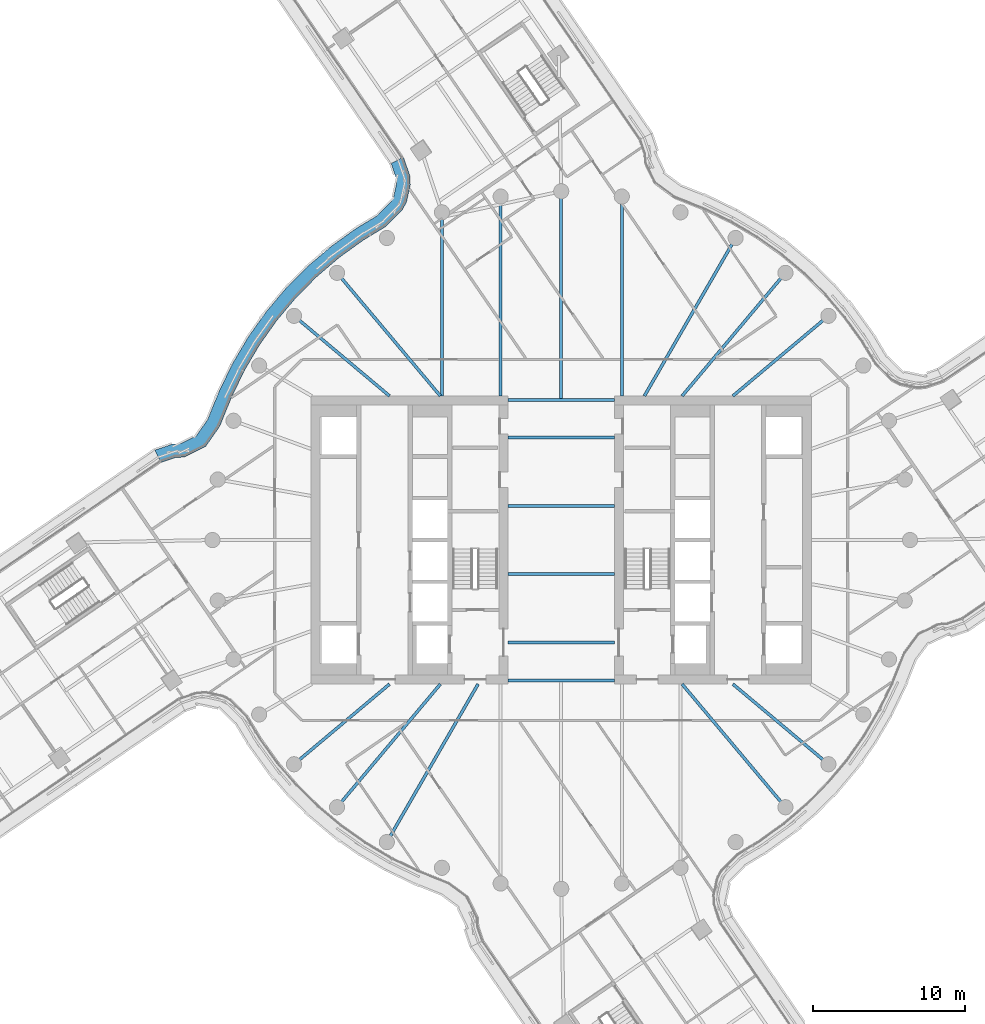
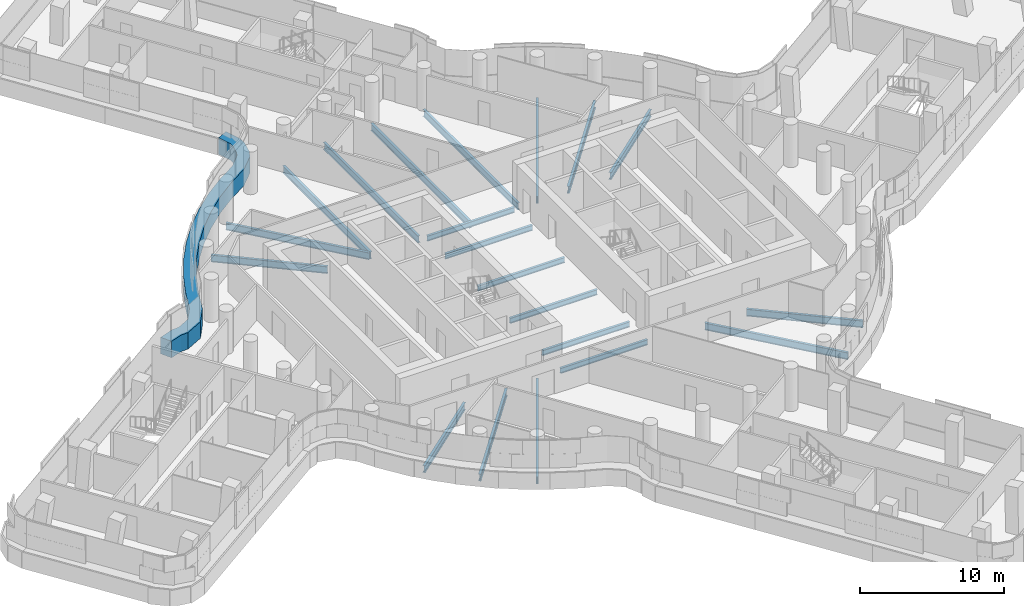
# One storey, part 10 of 33: 20 beams, 1 member, 1 element without a shape of its own.
"""IFC4 building model written with IfcOpenShell, lengths in metres."""

from ifc_helpers import new_model, si_unit, direction, frame, origin, origin_2d, place, context, subcontext, project, spatial, polyline, i_section, outline, extrude, material, layer, layer_set, material_profile, profile_set, type_object, element, aggregate, save


model = new_model("IFC4")

# Units and contexts
model_context = context("Model", 3, precision=1e-05, world=origin(), true_north=direction((0.0, 1.0)))
body_context = subcontext(model_context, "Body", "Model", "MODEL_VIEW")
ifc_project = project(units=[si_unit("LENGTHUNIT", "METRE"), si_unit("AREAUNIT", "SQUARE_METRE"), si_unit("VOLUMEUNIT", "CUBIC_METRE"), si_unit("PLANEANGLEUNIT", "RADIAN"), si_unit("MASSUNIT", "GRAM", prefix="KILO")], contexts=[model_context])

# Site, building, storey
site_placement = place(None, origin())
site = spatial("IfcSite", under=ifc_project, at=site_placement, CompositionType="ELEMENT")
building_placement = place(site_placement, origin())
building = spatial("IfcBuilding", under=site, at=building_placement, Name="Tamarind Cross Interchange Tower", CompositionType="ELEMENT")
storey_placement = place(building_placement, frame((0.0, 0.0, 159.25)))
storey = spatial("IfcBuildingStorey", under=building, at=storey_placement, Name="L39", CompositionType="ELEMENT", Elevation=159.25)

# Beams
ifc_material_1 = material(Name="Steel Q355B", Category="steel")
ifc_material_profile_1 = material_profile(ifc_material_1, i_section(OverallWidth=0.198974609375, OverallDepth=0.446044921875, WebThickness=0.008056640625, FlangeThickness=0.011962890625, FilletRadius=0.012939453125, at=origin_2d()), Name="HN 446x199x8x12")
ifc_profile_set_1 = profile_set([ifc_material_profile_1], Name="Steel Q355B")
beam_type_1 = type_object("IfcBeamType", Name="Composite beam HN 446x199x8x12 Q355B", PredefinedType="BEAM", material=ifc_profile_set_1)
for number, where, z_axis, x_axis, name in (
    (1, (-3.5, -2.25, -0.363037109375), (1.0, 0.0, 0.0), (0.0, 1.0, 0.0), "Beam G-2.25"),
    (2, (-3.5, -6.75, -0.363037109375), (1.0, 0.0, 0.0), (0.0, 1.0, 0.0), "Beam G-6.75"),
    (3, (-3.5, -9.25, -0.363037109375), (1.0, 0.0, 0.0), (0.0, 1.0, 0.0), "Beam G-9.25"),
    (4, (-3.5, 2.25, -0.363037109375), (1.0, 0.0, 0.0), (0.0, 1.0, 0.0), "Beam G2.25"),
    (5, (-3.5, 6.75, -0.363037109375), (1.0, 0.0, 0.0), (0.0, 1.0, 0.0), "Beam G6.75"),
    (6, (-3.5, 9.25, -0.363037109375), (1.0, 0.0, 0.0), (0.0, 1.0, 0.0), "Beam G9.25"),
):
    element("IfcBeam", number, at=place(storey_placement, frame(where, z_axis=z_axis, x_axis=x_axis)), inside=storey, type_object=beam_type_1, Name=name, PredefinedType="BEAM", context=body_context, shape_type="SweptSolid", body=[
        extrude(i_section(OverallWidth=0.198974609375, OverallDepth=0.446044921875, WebThickness=0.008056640625, FlangeThickness=0.011962890625, FilletRadius=0.012939453125, at=origin_2d()), origin(), (0.0, 0.0, 1.0), 7.0),
    ])
ifc_material_profile_2 = material_profile(ifc_material_1, i_section(OverallWidth=0.198974609375, OverallDepth=0.595947265625, WebThickness=0.010009765625, FlangeThickness=0.014892578125, FilletRadius=0.012939453125, at=origin_2d()), Name="HN 596x199x10x15")
ifc_profile_set_2 = profile_set([ifc_material_profile_2], Name="Steel Q355B")
beam_type_2 = type_object("IfcBeamType", Name="Composite beam HN 596x199x10x15 Q355B", PredefinedType="BEAM", material=ifc_profile_set_2)
beam_1_placement = place(storey_placement, frame((17.619140625, 14.7841796875, -0.43798828125), z_axis=(-0.766040580814, -0.642792212574, 0.0), x_axis=(0.642792212574, -0.766040580814, 0.0)))
element("IfcBeam", 7, at=beam_1_placement, inside=storey, type_object=beam_type_2, Name="Beam HH04", PredefinedType="BEAM", context=body_context, shape_type="SweptSolid", body=[
    extrude(i_section(OverallWidth=0.198974609375, OverallDepth=0.595947265625, WebThickness=0.010009765625, FlangeThickness=0.014892578125, FilletRadius=0.012939453125, at=origin_2d()), origin(), (0.0, 0.0, 1.0), 8.220703125),
])
beam_2_placement = place(storey_placement, frame((14.7841796875, 17.619140625, -0.43798828125), z_axis=(-0.642786293979, -0.766045547127, 0.0), x_axis=(0.766045547127, -0.642786293979, 0.0)))
element("IfcBeam", 8, at=beam_2_placement, inside=storey, type_object=beam_type_2, Name="Beam HH05", PredefinedType="BEAM", context=body_context, shape_type="SweptSolid", body=[
    extrude(i_section(OverallWidth=0.198974609375, OverallDepth=0.595947265625, WebThickness=0.010009765625, FlangeThickness=0.014892578125, FilletRadius=0.012939453125, at=origin_2d()), origin(), (0.0, 0.0, 1.0), 10.598876953125),
])
beam_3_placement = place(storey_placement, frame((11.5, 19.918701171875, -0.43798828125), z_axis=(-0.499993565836, -0.866029118519, 0.0), x_axis=(0.866029118519, -0.499993565836, 0.0)))
element("IfcBeam", 9, at=beam_3_placement, inside=storey, type_object=beam_type_2, Name="Beam HH06", PredefinedType="BEAM", context=body_context, shape_type="SweptSolid", body=[
    extrude(i_section(OverallWidth=0.198974609375, OverallDepth=0.595947265625, WebThickness=0.010009765625, FlangeThickness=0.014892578125, FilletRadius=0.012939453125, at=origin_2d()), origin(), (0.0, 0.0, 1.0), 12.030517578125),
])
beam_4_placement = place(storey_placement, frame((3.993896484375, 22.650634765625, -0.43798828125), z_axis=(0.0, -1.0, 0.0), x_axis=(1.0, 0.0, 0.0)))
element("IfcBeam", 10, at=beam_4_placement, inside=storey, type_object=beam_type_2, Name="Beam HH08", PredefinedType="BEAM", context=body_context, shape_type="SweptSolid", body=[
    extrude(i_section(OverallWidth=0.198974609375, OverallDepth=0.595947265625, WebThickness=0.010009765625, FlangeThickness=0.014892578125, FilletRadius=0.012939453125, at=origin_2d()), origin(), (0.0, 0.0, 1.0), 13.150634765625),
])
beam_5_placement = place(storey_placement, frame((0.0, 23.0, -0.43798828125), z_axis=(0.0, -1.0, 0.0), x_axis=(1.0, 0.0, 0.0)))
element("IfcBeam", 11, at=beam_5_placement, inside=storey, type_object=beam_type_2, Name="Beam HH09", PredefinedType="BEAM", context=body_context, shape_type="SweptSolid", body=[
    extrude(i_section(OverallWidth=0.198974609375, OverallDepth=0.595947265625, WebThickness=0.010009765625, FlangeThickness=0.014892578125, FilletRadius=0.012939453125, at=origin_2d()), origin(), (0.0, 0.0, 1.0), 13.75),
])
beam_6_placement = place(storey_placement, frame((-3.993896484375, 22.650634765625, -0.43798828125), z_axis=(0.0, -1.0, 0.0), x_axis=(1.0, 0.0, 0.0)))
element("IfcBeam", 12, at=beam_6_placement, inside=storey, type_object=beam_type_2, Name="Beam HH10", PredefinedType="BEAM", context=body_context, shape_type="SweptSolid", body=[
    extrude(i_section(OverallWidth=0.198974609375, OverallDepth=0.595947265625, WebThickness=0.010009765625, FlangeThickness=0.014892578125, FilletRadius=0.012939453125, at=origin_2d()), origin(), (0.0, 0.0, 1.0), 13.150634765625),
])
beam_7_placement = place(storey_placement, frame((-7.866455078125, 21.613037109375, -0.43798828125), z_axis=(0.0, -1.0, 0.0), x_axis=(1.0, 0.0, 0.0)))
element("IfcBeam", 13, at=beam_7_placement, inside=storey, type_object=beam_type_2, Name="Beam HH11", PredefinedType="BEAM", context=body_context, shape_type="SweptSolid", body=[
    extrude(i_section(OverallWidth=0.198974609375, OverallDepth=0.595947265625, WebThickness=0.010009765625, FlangeThickness=0.014892578125, FilletRadius=0.012939453125, at=origin_2d()), origin(), (0.0, 0.0, 1.0), 12.113037109375),
])
beam_8_placement = place(storey_placement, frame((-14.7841796875, 17.619140625, -0.43798828125), z_axis=(0.642786293979, -0.766045547127, 0.0), x_axis=(0.766045547127, 0.642786293979, 0.0)))
element("IfcBeam", 14, at=beam_8_placement, inside=storey, type_object=beam_type_2, Name="Beam HH13", PredefinedType="BEAM", context=body_context, shape_type="SweptSolid", body=[
    extrude(i_section(OverallWidth=0.198974609375, OverallDepth=0.595947265625, WebThickness=0.010009765625, FlangeThickness=0.014892578125, FilletRadius=0.012939453125, at=origin_2d()), origin(), (0.0, 0.0, 1.0), 10.598876953125),
])
for number, where, z_axis, x_axis, name in (
    (15, (-17.619140625, 14.7841796875, -0.43798828125), (0.766040580814, -0.642792212574, 0.0), (0.642792212574, 0.766040580814, 0.0), "Beam HH14"),
    (16, (-17.619140625, -14.7841796875, -0.43798828125), (0.766040580814, 0.642792212574, 0.0), (-0.642792212574, 0.766040580814, 0.0), "Beam HH22"),
):
    element("IfcBeam", number, at=place(storey_placement, frame(where, z_axis=z_axis, x_axis=x_axis)), inside=storey, type_object=beam_type_2, Name=name, PredefinedType="BEAM", context=body_context, shape_type="SweptSolid", body=[
        extrude(i_section(OverallWidth=0.198974609375, OverallDepth=0.595947265625, WebThickness=0.010009765625, FlangeThickness=0.014892578125, FilletRadius=0.012939453125, at=origin_2d()), origin(), (0.0, 0.0, 1.0), 8.220703125),
    ])
beam_9_placement = place(storey_placement, frame((-14.7841796875, -17.619140625, -0.43798828125), z_axis=(0.642786293979, 0.766045547127, 0.0), x_axis=(-0.766045547127, 0.642786293979, 0.0)))
element("IfcBeam", 17, at=beam_9_placement, inside=storey, type_object=beam_type_2, Name="Beam HH23", PredefinedType="BEAM", context=body_context, shape_type="SweptSolid", body=[
    extrude(i_section(OverallWidth=0.198974609375, OverallDepth=0.595947265625, WebThickness=0.010009765625, FlangeThickness=0.014892578125, FilletRadius=0.012939453125, at=origin_2d()), origin(), (0.0, 0.0, 1.0), 10.598876953125),
])
beam_10_placement = place(storey_placement, frame((-11.5, -19.918701171875, -0.43798828125), z_axis=(0.499993565836, 0.866029118519, 0.0), x_axis=(-0.866029118519, 0.499993565836, 0.0)))
element("IfcBeam", 18, at=beam_10_placement, inside=storey, type_object=beam_type_2, Name="Beam HH24", PredefinedType="BEAM", context=body_context, shape_type="SweptSolid", body=[
    extrude(i_section(OverallWidth=0.198974609375, OverallDepth=0.595947265625, WebThickness=0.010009765625, FlangeThickness=0.014892578125, FilletRadius=0.012939453125, at=origin_2d()), origin(), (0.0, 0.0, 1.0), 12.030517578125),
])
beam_11_placement = place(storey_placement, frame((14.7841796875, -17.619140625, -0.43798828125), z_axis=(-0.642786293979, 0.766045547127, 0.0), x_axis=(-0.766045547127, -0.642786293979, 0.0)))
element("IfcBeam", 19, at=beam_11_placement, inside=storey, type_object=beam_type_2, Name="Beam HH31", PredefinedType="BEAM", context=body_context, shape_type="SweptSolid", body=[
    extrude(i_section(OverallWidth=0.198974609375, OverallDepth=0.595947265625, WebThickness=0.010009765625, FlangeThickness=0.014892578125, FilletRadius=0.012939453125, at=origin_2d()), origin(), (0.0, 0.0, 1.0), 10.598876953125),
])
beam_12_placement = place(storey_placement, frame((17.619140625, -14.7841796875, -0.43798828125), z_axis=(-0.766040580814, 0.642792212574, 0.0), x_axis=(-0.642792212574, -0.766040580814, 0.0)))
element("IfcBeam", 20, at=beam_12_placement, inside=storey, type_object=beam_type_2, Name="Beam HH32", PredefinedType="BEAM", context=body_context, shape_type="SweptSolid", body=[
    extrude(i_section(OverallWidth=0.198974609375, OverallDepth=0.595947265625, WebThickness=0.010009765625, FlangeThickness=0.014892578125, FilletRadius=0.012939453125, at=origin_2d()), origin(), (0.0, 0.0, 1.0), 8.220703125),
])

# Curtain wall, member
ifc_material_2 = material(Name="Aluminium 6063-T6", Category="aluminium")
ifc_layer = layer(ifc_material_2, 0.159912109375)
ifc_layer_set = layer_set([ifc_layer], Name="Aluminium 6063-T6")
curtain_wall_type = type_object("IfcCurtainWallType", Name="Office curtain wall, 9.0 m bays", PredefinedType="NOTDEFINED", material=ifc_layer_set)
curtain_wall_placement = place(storey_placement, origin())
curtain_wall = element("IfcCurtainWall", 21, at=curtain_wall_placement, inside=storey, type_object=curtain_wall_type, Name="CWS-L39-14", PredefinedType="NOTDEFINED")
ifc_material_3 = material(Name="Aluminium and insulated spandrel panel", Category="aluminium")
member_type = type_object("IfcMemberType", Name="Floor-edge blade transom", PredefinedType="USERDEFINED", material=ifc_material_3)
member_placement = place(storey_placement, origin())
member = element("IfcMember", 22, at=member_placement, type_object=member_type, Name="CWT-L39-14", ObjectType="TRANSOM", PredefinedType="USERDEFINED", context=body_context, shape_type="SweptSolid", body=[
    extrude(outline(polyline([(-10.404296875, 25.25), (-9.98828125, 24.032958984375), (-9.953857421875, 23.42333984375), (-10.199951171875, 22.30126953125), (-10.488037109375, 21.7587890625), (-11.58740234375, 20.66015625), (-13.04541015625, 19.78125), (-14.634521484375, 18.636474609375), (-16.12353515625, 17.3642578125), (-17.50244140625, 15.973388671875), (-18.76171875, 14.4736328125), (-19.892822265625, 12.874755859375), (-20.88818359375, 11.188232421875), (-21.74169921875, 9.422607421875), (-22.520263671875, 7.501708984375), (-23.44482421875, 6.17919921875), (-24.840576171875, 5.4736328125), (-25.45263671875, 5.4365234375), (-26.38671875, 5.115234375), (-26.795166015625, 5.926513671875), (-25.62939453125, 6.327392578125), (-25.080810546875, 6.360595703125), (-24.052978515625, 6.88037109375), (-23.316162109375, 7.93408203125), (-22.56494140625, 9.787841796875), (-21.68212890625, 11.613525390625), (-20.64892578125, 13.3642578125), (-19.474853515625, 15.023681640625), (-18.167724609375, 16.580810546875), (-16.736572265625, 18.0244140625), (-15.19091796875, 19.344970703125), (-13.541748046875, 20.533203125), (-12.14599609375, 21.374267578125), (-11.219482421875, 22.300048828125), (-11.052490234375, 22.614501953125), (-10.859375, 23.49560546875), (-10.8798828125, 23.858642578125), (-11.21630859375, 24.84326171875), (-10.404296875, 25.25)])), origin(), (0.0, 0.0, 1.0), 1.39990234375),
])
aggregate(curtain_wall, [member])

save(model, "model.ifc")
